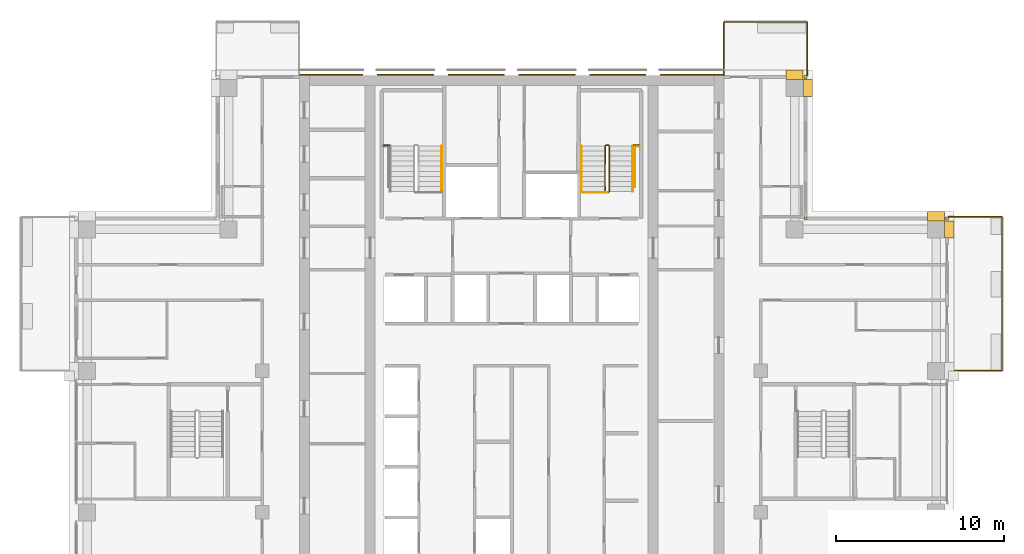
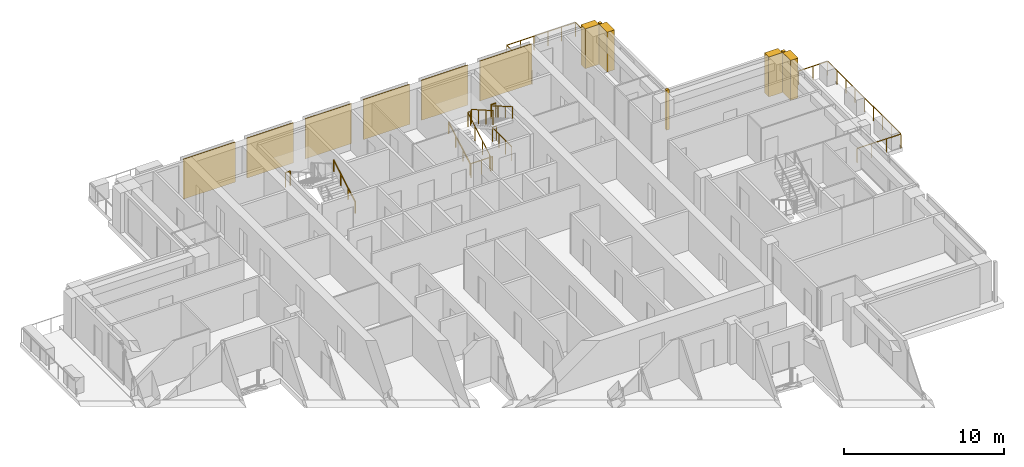
# One storey, part 15 of 15: 13 coverings, 10 railings.
"""IFC4 building model written with IfcOpenShell, lengths in metres."""

import ifcopenshell
import ifcopenshell.guid

model = None  # the IFC model being written
_history = None  # IfcOwnerHistory: only IFC2X3 demands one
_inside = {}  # id of a spatial element -> (the spatial element, [elements in it])
_under = {}  # id of a project, library or spatial element -> (it, [spatial elements below it])
_declared = {}  # id of a project -> (the project, [libraries it declares])
_typed = {}  # id of a type object -> (the type object, [elements of that type])
_made_of = {}  # id of a material, layer set ... -> (it, [elements and type objects made of it])


def new_model(schema):
    """Start an empty IFC model of exactly this schema.

    Asked for "IFC4X3", IfcOpenShell would pick the latest addendum, in which some entities
    have other attributes; the version numbers below select the first issue.
    IFC2X3 requires an IfcOwnerHistory on every rooted entity: one is made here for all.
    """
    global model, _history
    if schema == "IFC4X3":
        model = ifcopenshell.file(schema_version=(4, 3, 0, 0))
    else:
        model = ifcopenshell.file(schema=schema)
    _inside.clear()
    _under.clear()
    _declared.clear()
    _typed.clear()
    _made_of.clear()
    _history = None
    if model.schema == "IFC2X3":
        org = make("IfcOrganization", Name="unknown")
        user = make(
            "IfcPersonAndOrganization",
            ThePerson=make("IfcPerson", FamilyName="unknown"),
            TheOrganization=org,
        )
        app = make(
            "IfcApplication",
            ApplicationDeveloper=org,
            Version="unknown",
            ApplicationFullName="unknown",
            ApplicationIdentifier="unknown",
        )
        _history = make(
            "IfcOwnerHistory",
            OwningUser=user,
            OwningApplication=app,
            ChangeAction="ADDED",
            CreationDate=0,
        )
    return model


def make(cls, **values):
    """One entity of the class cls with the attributes given. An attribute that is None is left unset."""
    return model.create_entity(
        cls, **{name: value for name, value in values.items() if value is not None}
    )


def rooted(cls, **values):
    """An entity with a GlobalId (a new one), such as an element, a storey or a relation."""
    return make(cls, GlobalId=ifcopenshell.guid.new(), OwnerHistory=_history, **values)


def si_unit(unit_type, name, prefix=None):
    """IfcSIUnit, for example si_unit("LENGTHUNIT", "METRE", prefix="MILLI")."""
    return make("IfcSIUnit", UnitType=unit_type, Prefix=prefix, Name=name)


def assignment(units):
    """IfcUnitAssignment: the units of a project."""
    return None if units is None else make("IfcUnitAssignment", Units=units)


def point(xyz):
    """IfcCartesianPoint."""
    return None if xyz is None else make("IfcCartesianPoint", Coordinates=xyz)


def direction(xyz):
    """IfcDirection."""
    return None if xyz is None else make("IfcDirection", DirectionRatios=xyz)


def frame(location, z_axis=None, x_axis=None):
    """IfcAxis2Placement3D, a coordinate frame: its origin and axes. An axis left out is left unset."""
    return make(
        "IfcAxis2Placement3D",
        Location=point(location),
        Axis=direction(z_axis),
        RefDirection=direction(x_axis),
    )


def frame_2d(location, x_axis=None):
    """IfcAxis2Placement2D, a coordinate frame in the plane: its origin and x axis."""
    return make(
        "IfcAxis2Placement2D", Location=point(location), RefDirection=direction(x_axis)
    )


def origin():
    """The frame at (0, 0, 0) with its axes left unset."""
    return frame((0.0, 0.0, 0.0))


def origin_2d():
    """The frame at (0, 0) in the plane with its x axis left unset."""
    return frame_2d((0.0, 0.0))


def place(relative_to, where):
    """IfcLocalPlacement: puts the frame where relative to a parent placement (None: the world)."""
    return make(
        "IfcLocalPlacement", PlacementRelTo=relative_to, RelativePlacement=where
    )


def context(
    kind, dimensions, precision=None, world=None, true_north=None, identifier=None
):
    """IfcGeometricRepresentationContext, for example the 3D "Model" context."""
    return make(
        "IfcGeometricRepresentationContext",
        ContextIdentifier=identifier,
        ContextType=kind,
        CoordinateSpaceDimension=dimensions,
        Precision=precision,
        WorldCoordinateSystem=world,
        TrueNorth=true_north,
    )


def subcontext(parent, identifier, kind, view, scale=None):
    """IfcGeometricRepresentationSubContext, for example "Body" below "Model"."""
    return make(
        "IfcGeometricRepresentationSubContext",
        ContextIdentifier=identifier,
        ContextType=kind,
        ParentContext=parent,
        TargetScale=scale,
        TargetView=view,
    )


def project(units=None, contexts=None):
    """IfcProject with its units and contexts."""
    return rooted(
        "IfcProject",
        Name="project",
        RepresentationContexts=contexts,
        UnitsInContext=assignment(units),
    )


def spatial(cls, under=None, at=None, **own):
    """A site, building, storey or space (cls), placed at a placement, below another one or the project."""
    s = rooted(cls, ObjectPlacement=at, **own)
    if under is not None:
        _under.setdefault(under.id(), (under, []))[1].append(s)
    return s


def polyline(points):
    """IfcPolyline through the points."""
    return make("IfcPolyline", Points=[point(p) for p in points])


def profile(cls, at=None, kind="AREA", **sizes):
    """A parametric profile (cls). Its sizes go by their IFC names, for example OverallWidth=200.0."""
    return make(cls, ProfileType=kind, Position=at, **sizes)


def rectangle(**sizes):
    """IfcRectangleProfileDef."""
    return profile("IfcRectangleProfileDef", **sizes)


def outline(outer, holes=None, kind="AREA"):
    """IfcArbitraryClosedProfileDef: a profile drawn as a closed curve; with holes, ...WithVoids."""
    if holes is None:
        return make("IfcArbitraryClosedProfileDef", ProfileType=kind, OuterCurve=outer)
    return make(
        "IfcArbitraryProfileDefWithVoids",
        ProfileType=kind,
        OuterCurve=outer,
        InnerCurves=holes,
    )


def extrude(swept, where, along, depth):
    """IfcExtrudedAreaSolid: the profile swept, set in the frame where, extruded along a direction by depth."""
    return make(
        "IfcExtrudedAreaSolid",
        SweptArea=swept,
        Position=where,
        ExtrudedDirection=direction(along),
        Depth=depth,
    )


def shape(context_of_items, identifier, shape_type, items):
    """IfcShapeRepresentation: the items that make up one representation, for example the "Body"."""
    return make(
        "IfcShapeRepresentation",
        ContextOfItems=context_of_items,
        RepresentationIdentifier=identifier,
        RepresentationType=shape_type,
        Items=items,
    )


def material(Name=None, Category=None):
    """IfcMaterial."""
    return make("IfcMaterial", Name=Name, Category=Category)


def made_of(thing, what):
    """Note that an element or type object is made of a material, layer set ...; save() writes the relation."""
    if what is not None:
        _made_of.setdefault(what.id(), (what, []))[1].append(thing)
    return thing


def type_object(cls, material=None, **own):
    """A type object (cls), such as IfcWallType, which elements share."""
    return made_of(rooted(cls, **own), material)


def element(
    cls,
    number,
    at=None,
    inside=None,
    cuts=None,
    type_object=None,
    material=None,
    context=None,
    identifier="Body",
    shape_type=None,
    held_by="IfcProductDefinitionShape",
    body=None,
    shapes=None,
    **own,
):
    """One element of the class cls, such as IfcWall. Its Tag is "e" and its number.

    at: its placement. inside: the storey or other place that contains it. cuts: it is an
    opening in that element (IfcRelVoidsElement). A single representation is given by context,
    identifier, shape_type and body (its items); several are given by shapes. held_by: the class
    of the entity that holds the representations. save() writes the other relations.
    """
    e = rooted(cls, Tag="e%d" % number, ObjectPlacement=at, **own)
    if body is not None:
        shapes = [shape(context, identifier, shape_type, body)]
    if shapes is not None:
        e.Representation = make(held_by, Representations=shapes)
    if inside is not None:
        _inside.setdefault(inside.id(), (inside, []))[1].append(e)
    if cuts is not None:
        rooted(
            "IfcRelVoidsElement", RelatingBuildingElement=cuts, RelatedOpeningElement=e
        )
    if type_object is not None:
        _typed.setdefault(type_object.id(), (type_object, []))[1].append(e)
    return made_of(e, material)


def aggregate(whole, parts):
    """IfcRelAggregates: a whole, such as a stair, and the parts it consists of."""
    return rooted("IfcRelAggregates", RelatingObject=whole, RelatedObjects=parts)


def save(model, path):
    """Write the relations noted so far, then the file.

    IfcRelAggregates (storeys below a building ...), IfcRelContainedInSpatialStructure (elements
    in a storey), IfcRelDefinesByType, IfcRelAssociatesMaterial and IfcRelDeclares: one each for
    every whole, place, type object, material and project.
    """
    for whole, parts in _under.values():
        aggregate(whole, parts)
    for where, things in _inside.values():
        rooted(
            "IfcRelContainedInSpatialStructure",
            RelatedElements=things,
            RelatingStructure=where,
        )
    for kind, things in _typed.values():
        rooted("IfcRelDefinesByType", RelatedObjects=things, RelatingType=kind)
    for what, things in _made_of.values():
        rooted("IfcRelAssociatesMaterial", RelatedObjects=things, RelatingMaterial=what)
    for by, libraries in _declared.values():
        rooted("IfcRelDeclares", RelatingContext=by, RelatedDefinitions=libraries)
    model.write(path)


model = new_model("IFC4")

# Units and contexts
model_context = context("Model", 3, precision=1e-05, world=origin(), true_north=direction((0.0, 1.0)))
body_context = subcontext(model_context, "Body", "Model", "MODEL_VIEW")
ifc_project = project(units=[si_unit("LENGTHUNIT", "METRE"), si_unit("AREAUNIT", "SQUARE_METRE"), si_unit("VOLUMEUNIT", "CUBIC_METRE"), si_unit("PLANEANGLEUNIT", "RADIAN"), si_unit("MASSUNIT", "GRAM", prefix="KILO")], contexts=[model_context])

# Site, building, storey
site_placement = place(None, origin())
site = spatial("IfcSite", under=ifc_project, at=site_placement, CompositionType="ELEMENT")
building_placement = place(site_placement, origin())
building = spatial("IfcBuilding", under=site, at=building_placement, Name="Vermilion Ogive Tower", CompositionType="ELEMENT")
storey_placement = place(building_placement, frame((0.0, 0.0, 210.050048828125)))
storey = spatial("IfcBuildingStorey", under=building, at=storey_placement, Name="L55", CompositionType="ELEMENT", Elevation=210.050048828125)

# Railings
ifc_material_1 = material(Name="Stainless steel and glass", Category="steel")
railing_type_1 = type_object("IfcRailingType", Name="Balcony guard", PredefinedType="GUARDRAIL", material=ifc_material_1)
railing_1_placement = place(storey_placement, frame((25.949951171875, 4.199951171875, -0.0400390625)))
element("IfcRailing", 1, at=railing_1_placement, inside=storey, type_object=railing_type_1, Name="Guard E03", PredefinedType="GUARDRAIL", context=body_context, shape_type="SweptSolid", body=[
    extrude(rectangle(XDim=0.048095703125, YDim=0.048095703125, at=origin_2d()), frame((0.0, 0.0, 1.076171875), z_axis=(1.0, 0.0, 0.0), x_axis=(0.0, 1.0, 0.0)), (0.0, 0.0, 1.0), 3.16015625),
    extrude(rectangle(XDim=0.048095703125, YDim=0.048095703125, at=origin_2d()), frame((3.16015625, 0.0, 1.076171875), z_axis=(0.0, 1.0, 0.0), x_axis=(-1.0, 0.0, 0.0)), (0.0, 0.0, 1.0), 9.150146484375),
    extrude(rectangle(XDim=0.048095703125, YDim=0.048095703125, at=origin_2d()), frame((3.16015625, 9.150146484375, 1.076171875), z_axis=(-1.0, 0.0, 0.0), x_axis=(0.0, -1.0, 0.0)), (0.0, 0.0, 1.0), 3.16015625),
    extrude(rectangle(XDim=0.0419921875, YDim=0.0419921875, at=origin_2d()), origin(), (0.0, 0.0, 1.0), 1.052001953125),
    extrude(rectangle(XDim=0.0419921875, YDim=0.0419921875, at=origin_2d()), frame((1.053466796875, 0.0, 0.0)), (0.0, 0.0, 1.0), 1.052001953125),
    extrude(rectangle(XDim=0.0419921875, YDim=0.0419921875, at=origin_2d()), frame((2.106689453125, 0.0, 0.0)), (0.0, 0.0, 1.0), 1.052001953125),
    extrude(rectangle(XDim=0.0419921875, YDim=0.0419921875, at=origin_2d()), frame((3.16015625, 0.0, 0.0)), (0.0, 0.0, 1.0), 1.052001953125),
    extrude(rectangle(XDim=0.0419921875, YDim=0.0419921875, at=origin_2d()), frame((3.16015625, 1.143798828125, 0.0)), (0.0, 0.0, 1.0), 1.052001953125),
    extrude(rectangle(XDim=0.0419921875, YDim=0.0419921875, at=origin_2d()), frame((3.16015625, 2.28759765625, 0.0)), (0.0, 0.0, 1.0), 1.052001953125),
    extrude(rectangle(XDim=0.0419921875, YDim=0.0419921875, at=origin_2d()), frame((3.16015625, 3.431396484375, 0.0)), (0.0, 0.0, 1.0), 1.052001953125),
    extrude(rectangle(XDim=0.0419921875, YDim=0.0419921875, at=origin_2d()), frame((3.16015625, 4.5751953125, 0.0)), (0.0, 0.0, 1.0), 1.052001953125),
    extrude(rectangle(XDim=0.0419921875, YDim=0.0419921875, at=origin_2d()), frame((3.16015625, 5.71875, 0.0)), (0.0, 0.0, 1.0), 1.052001953125),
    extrude(rectangle(XDim=0.0419921875, YDim=0.0419921875, at=origin_2d()), frame((3.16015625, 6.862548828125, 0.0)), (0.0, 0.0, 1.0), 1.052001953125),
    extrude(rectangle(XDim=0.0419921875, YDim=0.0419921875, at=origin_2d()), frame((3.16015625, 8.00634765625, 0.0)), (0.0, 0.0, 1.0), 1.052001953125),
    extrude(rectangle(XDim=0.0419921875, YDim=0.0419921875, at=origin_2d()), frame((3.16015625, 9.150146484375, 0.0)), (0.0, 0.0, 1.0), 1.052001953125),
    extrude(rectangle(XDim=0.0419921875, YDim=0.0419921875, at=origin_2d()), frame((2.106689453125, 9.150146484375, 0.0)), (0.0, 0.0, 1.0), 1.052001953125),
    extrude(rectangle(XDim=0.0419921875, YDim=0.0419921875, at=origin_2d()), frame((1.053466796875, 9.150146484375, 0.0)), (0.0, 0.0, 1.0), 1.052001953125),
    extrude(rectangle(XDim=0.0419921875, YDim=0.0419921875, at=origin_2d()), frame((0.0, 9.150146484375, 0.0)), (0.0, 0.0, 1.0), 1.052001953125),
])
railing_2_placement = place(storey_placement, frame((17.550048828125, 21.75, -0.0400390625)))
element("IfcRailing", 2, at=railing_2_placement, inside=storey, type_object=railing_type_1, Name="Guard N101", PredefinedType="GUARDRAIL", context=body_context, shape_type="SweptSolid", body=[
    extrude(rectangle(XDim=0.048095703125, YDim=0.048095703125, at=origin_2d()), frame((0.0, 0.0, 1.076171875), z_axis=(0.0, 1.0, 0.0), x_axis=(-1.0, 0.0, 0.0)), (0.0, 0.0, 1.0), 3.159912109375),
    extrude(rectangle(XDim=0.048095703125, YDim=0.048095703125, at=origin_2d()), frame((0.0, 3.159912109375, 1.076171875), z_axis=(-1.0, 0.0, 0.0), x_axis=(0.0, -1.0, 0.0)), (0.0, 0.0, 1.0), 4.949951171875),
    extrude(rectangle(XDim=0.048095703125, YDim=0.048095703125, at=origin_2d()), frame((-4.949951171875, 3.159912109375, 1.076171875), z_axis=(0.0, -1.0, 0.0), x_axis=(1.0, 0.0, 0.0)), (0.0, 0.0, 1.0), 3.159912109375),
    extrude(rectangle(XDim=0.0419921875, YDim=0.0419921875, at=origin_2d()), origin(), (0.0, 0.0, 1.0), 1.052001953125),
    extrude(rectangle(XDim=0.0419921875, YDim=0.0419921875, at=origin_2d()), frame((0.0, 1.05322265625, 0.0)), (0.0, 0.0, 1.0), 1.052001953125),
    extrude(rectangle(XDim=0.0419921875, YDim=0.0419921875, at=origin_2d()), frame((0.0, 2.106689453125, 0.0)), (0.0, 0.0, 1.0), 1.052001953125),
    extrude(rectangle(XDim=0.0419921875, YDim=0.0419921875, at=origin_2d()), frame((0.0, 3.159912109375, 0.0)), (0.0, 0.0, 1.0), 1.052001953125),
    extrude(rectangle(XDim=0.0419921875, YDim=0.0419921875, at=origin_2d()), frame((-0.989990234375, 3.159912109375, 0.0)), (0.0, 0.0, 1.0), 1.052001953125),
    extrude(rectangle(XDim=0.0419921875, YDim=0.0419921875, at=origin_2d()), frame((-1.97998046875, 3.159912109375, 0.0)), (0.0, 0.0, 1.0), 1.052001953125),
    extrude(rectangle(XDim=0.0419921875, YDim=0.0419921875, at=origin_2d()), frame((-2.969970703125, 3.159912109375, 0.0)), (0.0, 0.0, 1.0), 1.052001953125),
    extrude(rectangle(XDim=0.0419921875, YDim=0.0419921875, at=origin_2d()), frame((-3.9599609375, 3.159912109375, 0.0)), (0.0, 0.0, 1.0), 1.052001953125),
    extrude(rectangle(XDim=0.0419921875, YDim=0.0419921875, at=origin_2d()), frame((-4.949951171875, 3.159912109375, 0.0)), (0.0, 0.0, 1.0), 1.052001953125),
    extrude(rectangle(XDim=0.0419921875, YDim=0.0419921875, at=origin_2d()), frame((-4.949951171875, 2.106689453125, 0.0)), (0.0, 0.0, 1.0), 1.052001953125),
    extrude(rectangle(XDim=0.0419921875, YDim=0.0419921875, at=origin_2d()), frame((-4.949951171875, 1.05322265625, 0.0)), (0.0, 0.0, 1.0), 1.052001953125),
    extrude(rectangle(XDim=0.0419921875, YDim=0.0419921875, at=origin_2d()), frame((-4.949951171875, 0.0, 0.0)), (0.0, 0.0, 1.0), 1.052001953125),
])
ifc_material_2 = material(Name="Steel S355 painted", Category="steel")
railing_type_2 = type_object("IfcRailingType", Name="Stair guard 1100", PredefinedType="GUARDRAIL", material=ifc_material_2)
railing_3_placement = place(storey_placement, frame((5.75, 14.800048828125, 0.0)))
element("IfcRailing", 3, at=railing_3_placement, inside=storey, type_object=railing_type_2, Name="L55 ST2 stair guard 4", PredefinedType="GUARDRAIL", context=body_context, shape_type="SweptSolid", body=[
    extrude(rectangle(XDim=0.048095703125, YDim=0.048095703125, at=origin_2d()), frame((0.0, 0.0, 1.076171875), z_axis=(-1.0, 0.0, 0.0), x_axis=(0.0, -1.0, 0.0)), (0.0, 0.0, 1.0), 0.14990234375),
    extrude(rectangle(XDim=0.048095703125, YDim=0.048095703125, at=origin_2d()), frame((-0.14990234375, 0.0, 1.076171875), z_axis=(-0.268603158521, 0.268603158521, 0.925043072762), x_axis=(-0.707106781187, -0.707106781187, 0.0)), (0.0, 0.0, 1.0), 0.186279296875),
    extrude(rectangle(XDim=0.048095703125, YDim=0.048095703125, at=origin_2d()), frame((-0.199951171875, 0.050048828125, 1.24853515625), z_axis=(0.0, 0.866903762492, 0.498475542607), x_axis=(-1.0, 0.0, 0.0)), (0.0, 0.0, 1.0), 3.114501953125),
    extrude(rectangle(XDim=0.048095703125, YDim=0.048095703125, at=origin_2d()), frame((-0.199951171875, 2.75, 2.80078125), z_axis=(0.707106781187, 0.707106781187, 0.0), x_axis=(-0.707106781187, 0.707106781187, 0.0)), (0.0, 0.0, 1.0), 0.07080078125),
    extrude(rectangle(XDim=0.048095703125, YDim=0.048095703125, at=origin_2d()), frame((-0.14990234375, 2.800048828125, 2.80078125), z_axis=(1.0, 0.0, 0.0), x_axis=(0.0, 1.0, 0.0)), (0.0, 0.0, 1.0), 0.14990234375),
    extrude(rectangle(XDim=0.048095703125, YDim=0.048095703125, at=origin_2d()), frame((0.0, 2.800048828125, 2.80078125), z_axis=(0.268277960024, -0.268277960024, 0.925231793839), x_axis=(0.707106781187, 0.707106781187, 0.0)), (0.0, 0.0, 1.0), 0.1865234375),
    extrude(rectangle(XDim=0.048095703125, YDim=0.048095703125, at=origin_2d()), frame((0.050048828125, 2.75, 2.9736328125), z_axis=(0.0, -0.866903762492, 0.498475542607), x_axis=(1.0, 0.0, 0.0)), (0.0, 0.0, 1.0), 3.114501953125),
    extrude(rectangle(XDim=0.0419921875, YDim=0.0419921875, at=origin_2d()), origin(), (0.0, 0.0, 1.0), 1.052001953125),
    extrude(rectangle(XDim=0.0419921875, YDim=0.0419921875, at=origin_2d()), frame((-0.14990234375, 0.0, 0.0)), (0.0, 0.0, 1.0), 1.052001953125),
    extrude(rectangle(XDim=0.0419921875, YDim=0.0419921875, at=origin_2d()), frame((-0.199951171875, 0.050048828125, 0.17236328125)), (0.0, 0.0, 1.0), 1.052001953125),
    extrude(rectangle(XDim=0.0419921875, YDim=0.0419921875, at=origin_2d()), frame((-0.199951171875, 0.949951171875, 0.68994140625)), (0.0, 0.0, 1.0), 1.052001953125),
    extrude(rectangle(XDim=0.0419921875, YDim=0.0419921875, at=origin_2d()), frame((-0.199951171875, 1.85009765625, 1.207275390625)), (0.0, 0.0, 1.0), 1.052001953125),
    extrude(rectangle(XDim=0.0419921875, YDim=0.0419921875, at=origin_2d()), frame((-0.199951171875, 2.75, 1.724853515625)), (0.0, 0.0, 1.0), 1.052001953125),
    extrude(rectangle(XDim=0.0419921875, YDim=0.0419921875, at=origin_2d()), frame((-0.14990234375, 2.800048828125, 1.724853515625)), (0.0, 0.0, 1.0), 1.052001953125),
    extrude(rectangle(XDim=0.0419921875, YDim=0.0419921875, at=origin_2d()), frame((0.0, 2.800048828125, 1.724853515625)), (0.0, 0.0, 1.0), 1.052001953125),
    extrude(rectangle(XDim=0.0419921875, YDim=0.0419921875, at=origin_2d()), frame((0.050048828125, 2.75, 1.8974609375)), (0.0, 0.0, 1.0), 1.052001953125),
    extrude(rectangle(XDim=0.0419921875, YDim=0.0419921875, at=origin_2d()), frame((0.050048828125, 1.85009765625, 2.4150390625)), (0.0, 0.0, 1.0), 1.052001953125),
    extrude(rectangle(XDim=0.0419921875, YDim=0.0419921875, at=origin_2d()), frame((0.050048828125, 0.949951171875, 2.932373046875)), (0.0, 0.0, 1.0), 1.052001953125),
    extrude(rectangle(XDim=0.0419921875, YDim=0.0419921875, at=origin_2d()), frame((0.050048828125, 0.050048828125, 3.449951171875)), (0.0, 0.0, 1.0), 1.052001953125),
])
for number, where, name in (
    (4, (-7.60009765625, 17.60009765625, 1.724853515625), "L55 landing guard"),
    (5, (7.25, 17.60009765625, 1.724853515625), "L55 landing guard"),
):
    element("IfcRailing", number, at=place(storey_placement, frame(where)), inside=storey, type_object=railing_type_2, Name=name, PredefinedType="GUARDRAIL", context=body_context, shape_type="SweptSolid", body=[
        extrude(rectangle(XDim=0.048095703125, YDim=0.048095703125, at=origin_2d()), frame((0.0, 0.0, 1.076171875), z_axis=(1.0, 0.0, 0.0), x_axis=(0.0, 1.0, 0.0)), (0.0, 0.0, 1.0), 0.35009765625),
        extrude(rectangle(XDim=0.0419921875, YDim=0.0419921875, at=origin_2d()), origin(), (0.0, 0.0, 1.0), 1.052001953125),
        extrude(rectangle(XDim=0.0419921875, YDim=0.0419921875, at=origin_2d()), frame((0.35009765625, 0.0, 0.0)), (0.0, 0.0, 1.0), 1.052001953125),
    ])
railing_4_placement = place(storey_placement, frame((7.599609375, 17.54296875, 0.0)))
element("IfcRailing", 6, at=railing_4_placement, inside=storey, type_object=railing_type_2, Name="L55 stair opening guard", PredefinedType="GUARDRAIL", context=body_context, shape_type="SweptSolid", body=[
    extrude(rectangle(XDim=0.048095703125, YDim=0.048095703125, at=origin_2d()), frame((0.0, 0.0, 1.076171875), z_axis=(-1.0, 0.0, 0.0), x_axis=(0.0, -1.0, 0.0)), (0.0, 0.0, 1.0), 0.2900390625),
    extrude(rectangle(XDim=0.048095703125, YDim=0.048095703125, at=origin_2d()), frame((-0.2900390625, 0.0, 1.076171875), z_axis=(0.0, -1.0, 0.0), x_axis=(1.0, 0.0, 0.0)), (0.0, 0.0, 1.0), 2.42431640625),
    extrude(rectangle(XDim=0.0419921875, YDim=0.0419921875, at=origin_2d()), origin(), (0.0, 0.0, 1.0), 1.052001953125),
    extrude(rectangle(XDim=0.0419921875, YDim=0.0419921875, at=origin_2d()), frame((-0.2900390625, 0.0, 0.0)), (0.0, 0.0, 1.0), 1.052001953125),
    extrude(rectangle(XDim=0.0419921875, YDim=0.0419921875, at=origin_2d()), frame((-0.2900390625, -0.80810546875, 0.0)), (0.0, 0.0, 1.0), 1.052001953125),
    extrude(rectangle(XDim=0.0419921875, YDim=0.0419921875, at=origin_2d()), frame((-0.2900390625, -1.6162109375, 0.0)), (0.0, 0.0, 1.0), 1.052001953125),
    extrude(rectangle(XDim=0.0419921875, YDim=0.0419921875, at=origin_2d()), frame((-0.2900390625, -2.42431640625, 0.0)), (0.0, 0.0, 1.0), 1.052001953125),
])
railing_5_placement = place(storey_placement, frame((5.699951171875, 14.7900390625, 0.0)))
element("IfcRailing", 7, at=railing_5_placement, inside=storey, type_object=railing_type_2, Name="L55 stair opening guard", PredefinedType="GUARDRAIL", context=body_context, shape_type="SweptSolid", body=[
    extrude(rectangle(XDim=0.048095703125, YDim=0.048095703125, at=origin_2d()), frame((0.0, 0.0, 1.076171875), z_axis=(-1.0, 0.0, 0.0), x_axis=(0.0, -1.0, 0.0)), (0.0, 0.0, 1.0), 1.5400390625),
    extrude(rectangle(XDim=0.0419921875, YDim=0.0419921875, at=origin_2d()), origin(), (0.0, 0.0, 1.0), 1.052001953125),
    extrude(rectangle(XDim=0.0419921875, YDim=0.0419921875, at=origin_2d()), frame((-0.77001953125, 0.0, 0.0)), (0.0, 0.0, 1.0), 1.052001953125),
    extrude(rectangle(XDim=0.0419921875, YDim=0.0419921875, at=origin_2d()), frame((-1.5400390625, 0.0, 0.0)), (0.0, 0.0, 1.0), 1.052001953125),
])
ifc_material_3 = material(Name="Stainless steel", Category="steel")
railing_type_3 = type_object("IfcRailingType", Name="Stair handrail 900", PredefinedType="HANDRAIL", material=ifc_material_3)
for number, where, name in (
    (8, (-4.14990234375, 14.85009765625, 0.17236328125), "L55 ST1 stair handrail 1"),
    (9, (4.14990234375, 14.85009765625, 0.17236328125), "L55 ST2 stair handrail 1"),
):
    element("IfcRailing", number, at=place(storey_placement, frame(where)), inside=storey, type_object=railing_type_3, Name=name, PredefinedType="HANDRAIL", context=body_context, shape_type="SweptSolid", body=[
        extrude(rectangle(XDim=0.048095703125, YDim=0.048095703125, at=origin_2d()), frame((0.0, 0.0, 0.8759765625), z_axis=(0.0, 0.866903762492, 0.498475542607), x_axis=(-1.0, 0.0, 0.0)), (0.0, 0.0, 1.0), 3.114501953125),
        extrude(rectangle(XDim=0.0419921875, YDim=0.0419921875, at=origin_2d()), origin(), (0.0, 0.0, 1.0), 0.851806640625),
        extrude(rectangle(XDim=0.0419921875, YDim=0.0419921875, at=origin_2d()), frame((0.0, 0.89990234375, 0.517578125)), (0.0, 0.0, 1.0), 0.851806640625),
        extrude(rectangle(XDim=0.0419921875, YDim=0.0419921875, at=origin_2d()), frame((0.0, 1.800048828125, 1.034912109375)), (0.0, 0.0, 1.0), 0.851806640625),
        extrude(rectangle(XDim=0.0419921875, YDim=0.0419921875, at=origin_2d()), frame((0.0, 2.699951171875, 1.552490234375)), (0.0, 0.0, 1.0), 0.851806640625),
    ])
railing_6_placement = place(storey_placement, frame((7.199951171875, 17.550048828125, 1.8974609375)))
element("IfcRailing", 10, at=railing_6_placement, inside=storey, type_object=railing_type_3, Name="L55 ST2 stair handrail 2", PredefinedType="HANDRAIL", context=body_context, shape_type="SweptSolid", body=[
    extrude(rectangle(XDim=0.048095703125, YDim=0.048095703125, at=origin_2d()), frame((0.0, 0.0, 0.8759765625), z_axis=(0.0, -0.866903762492, 0.498475542607), x_axis=(1.0, 0.0, 0.0)), (0.0, 0.0, 1.0), 3.114501953125),
    extrude(rectangle(XDim=0.0419921875, YDim=0.0419921875, at=origin_2d()), origin(), (0.0, 0.0, 1.0), 0.851806640625),
    extrude(rectangle(XDim=0.0419921875, YDim=0.0419921875, at=origin_2d()), frame((0.0, -0.89990234375, 0.517578125)), (0.0, 0.0, 1.0), 0.851806640625),
    extrude(rectangle(XDim=0.0419921875, YDim=0.0419921875, at=origin_2d()), frame((0.0, -1.800048828125, 1.034912109375)), (0.0, 0.0, 1.0), 0.851806640625),
    extrude(rectangle(XDim=0.0419921875, YDim=0.0419921875, at=origin_2d()), frame((0.0, -2.699951171875, 1.552490234375)), (0.0, 0.0, 1.0), 0.851806640625),
])

# Coverings
ifc_material_4 = material(Name="Stone cladding", Category="masonry")
covering_type_1 = type_object("IfcCoveringType", Name="Stone cladding panel", PredefinedType="CLADDING", material=ifc_material_4)
covering_1_placement = place(storey_placement, origin())
element("IfcCovering", 11, at=covering_1_placement, inside=storey, type_object=covering_type_1, Name="Stone cladding panel N1", PredefinedType="CLADDING", context=body_context, shape_type="SweptSolid", body=[
    extrude(outline(polyline([(-12.590087890625, 21.75), (-8.830078125, 21.75), (-8.830078125, 21.81005859375), (-12.590087890625, 21.81005859375), (-12.590087890625, 21.75)])), origin(), (0.0, 0.0, 1.0), 3.050048828125),
])
covering_2_placement = place(storey_placement, origin())
element("IfcCovering", 12, at=covering_2_placement, inside=storey, type_object=covering_type_1, Name="Stone cladding panel N2", PredefinedType="CLADDING", context=body_context, shape_type="SweptSolid", body=[
    extrude(outline(polyline([(-7.969970703125, 21.75), (-4.6298828125, 21.75), (-4.6298828125, 21.81005859375), (-7.969970703125, 21.81005859375), (-7.969970703125, 21.75)])), origin(), (0.0, 0.0, 1.0), 3.050048828125),
])
covering_3_placement = place(storey_placement, origin())
element("IfcCovering", 13, at=covering_3_placement, inside=storey, type_object=covering_type_1, Name="Stone cladding panel N3", PredefinedType="CLADDING", context=body_context, shape_type="SweptSolid", body=[
    extrude(outline(polyline([(-3.77001953125, 21.75), (-0.429931640625, 21.75), (-0.429931640625, 21.81005859375), (-3.77001953125, 21.81005859375), (-3.77001953125, 21.75)])), origin(), (0.0, 0.0, 1.0), 3.050048828125),
])
covering_4_placement = place(storey_placement, origin())
element("IfcCovering", 14, at=covering_4_placement, inside=storey, type_object=covering_type_1, Name="Stone cladding panel N4", PredefinedType="CLADDING", context=body_context, shape_type="SweptSolid", body=[
    extrude(outline(polyline([(0.429931640625, 21.75), (3.77001953125, 21.75), (3.77001953125, 21.81005859375), (0.429931640625, 21.81005859375), (0.429931640625, 21.75)])), origin(), (0.0, 0.0, 1.0), 3.050048828125),
])
covering_5_placement = place(storey_placement, origin())
element("IfcCovering", 15, at=covering_5_placement, inside=storey, type_object=covering_type_1, Name="Stone cladding panel N5", PredefinedType="CLADDING", context=body_context, shape_type="SweptSolid", body=[
    extrude(outline(polyline([(4.6298828125, 21.75), (7.969970703125, 21.75), (7.969970703125, 21.81005859375), (4.6298828125, 21.81005859375), (4.6298828125, 21.75)])), origin(), (0.0, 0.0, 1.0), 3.050048828125),
])
covering_6_placement = place(storey_placement, origin())
element("IfcCovering", 16, at=covering_6_placement, inside=storey, type_object=covering_type_1, Name="Stone cladding panel N6", PredefinedType="CLADDING", context=body_context, shape_type="SweptSolid", body=[
    extrude(outline(polyline([(8.830078125, 21.75), (12.590087890625, 21.75), (12.590087890625, 21.81005859375), (8.830078125, 21.81005859375), (8.830078125, 21.75)])), origin(), (0.0, 0.0, 1.0), 3.050048828125),
])
ifc_material_5 = material(Name="Stone cladding", Category="masonry")
covering_type_2 = type_object("IfcCoveringType", Name="Stone pier", PredefinedType="CLADDING", material=ifc_material_5)
covering_7_placement = place(storey_placement, origin())
element("IfcCovering", 17, at=covering_7_placement, inside=storey, type_object=covering_type_2, Name="Stone corner pier EE1", PredefinedType="CLADDING", context=body_context, shape_type="SweptSolid", body=[
    extrude(outline(polyline([(25.75, 13.14990234375), (25.75, 13.35009765625), (25.949951171875, 13.35009765625), (25.949951171875, 13.14990234375), (25.75, 13.14990234375)])), origin(), (0.0, 0.0, 1.0), 3.050048828125),
])
covering_8_placement = place(storey_placement, origin())
element("IfcCovering", 18, at=covering_8_placement, inside=storey, type_object=covering_type_2, Name="Stone corner pier X3E1", PredefinedType="CLADDING", context=body_context, shape_type="SweptSolid", body=[
    extrude(outline(polyline([(17.35009765625, 13.14990234375), (17.35009765625, 13.35009765625), (17.550048828125, 13.35009765625), (17.550048828125, 13.14990234375), (17.35009765625, 13.14990234375)])), origin(), (0.0, 0.0, 1.0), 3.050048828125),
])
covering_9_placement = place(storey_placement, origin())
element("IfcCovering", 19, at=covering_9_placement, inside=storey, type_object=covering_type_2, Name="Stone corner pier X4E1", PredefinedType="CLADDING", context=body_context, shape_type="SweptSolid", body=[
    extrude(outline(polyline([(17.35009765625, 21.550048828125), (17.35009765625, 21.75), (17.550048828125, 21.75), (17.550048828125, 21.550048828125), (17.35009765625, 21.550048828125)])), origin(), (0.0, 0.0, 1.0), 3.050048828125),
])
covering_10_placement = place(storey_placement, origin())
element("IfcCovering", 20, at=covering_10_placement, inside=storey, type_object=covering_type_2, Name="Stone pier P+0168+210X4", PredefinedType="CLADDING", context=body_context, shape_type="SweptSolid", body=[
    extrude(outline(polyline([(17.85009765625, 21.5), (17.85009765625, 20.5), (17.300048828125, 20.5), (17.300048828125, 21.5), (17.85009765625, 21.5)])), origin(), (0.0, 0.0, 1.0), 3.050048828125),
])
covering_11_placement = place(storey_placement, origin())
element("IfcCovering", 21, at=covering_11_placement, inside=storey, type_object=covering_type_2, Name="Stone pier P+0168+210N1", PredefinedType="CLADDING", context=body_context, shape_type="SweptSolid", body=[
    extrude(outline(polyline([(17.300048828125, 22.050048828125), (17.300048828125, 21.5), (16.300048828125, 21.5), (16.300048828125, 22.050048828125), (17.300048828125, 22.050048828125)])), origin(), (0.0, 0.0, 1.0), 3.050048828125),
])
covering_12_placement = place(storey_placement, origin())
element("IfcCovering", 22, at=covering_12_placement, inside=storey, type_object=covering_type_2, Name="Stone pier P+0252+126E", PredefinedType="CLADDING", context=body_context, shape_type="SweptSolid", body=[
    extrude(outline(polyline([(26.25, 13.10009765625), (26.25, 12.10009765625), (25.699951171875, 12.10009765625), (25.699951171875, 13.10009765625), (26.25, 13.10009765625)])), origin(), (0.0, 0.0, 1.0), 3.050048828125),
])
covering_13_placement = place(storey_placement, origin())
element("IfcCovering", 23, at=covering_13_placement, inside=storey, type_object=covering_type_2, Name="Stone pier P+0252+126X3", PredefinedType="CLADDING", context=body_context, shape_type="SweptSolid", body=[
    extrude(outline(polyline([(25.699951171875, 13.64990234375), (25.699951171875, 13.10009765625), (24.699951171875, 13.10009765625), (24.699951171875, 13.64990234375), (25.699951171875, 13.64990234375)])), origin(), (0.0, 0.0, 1.0), 3.050048828125),
])

save(model, "model.ifc")
